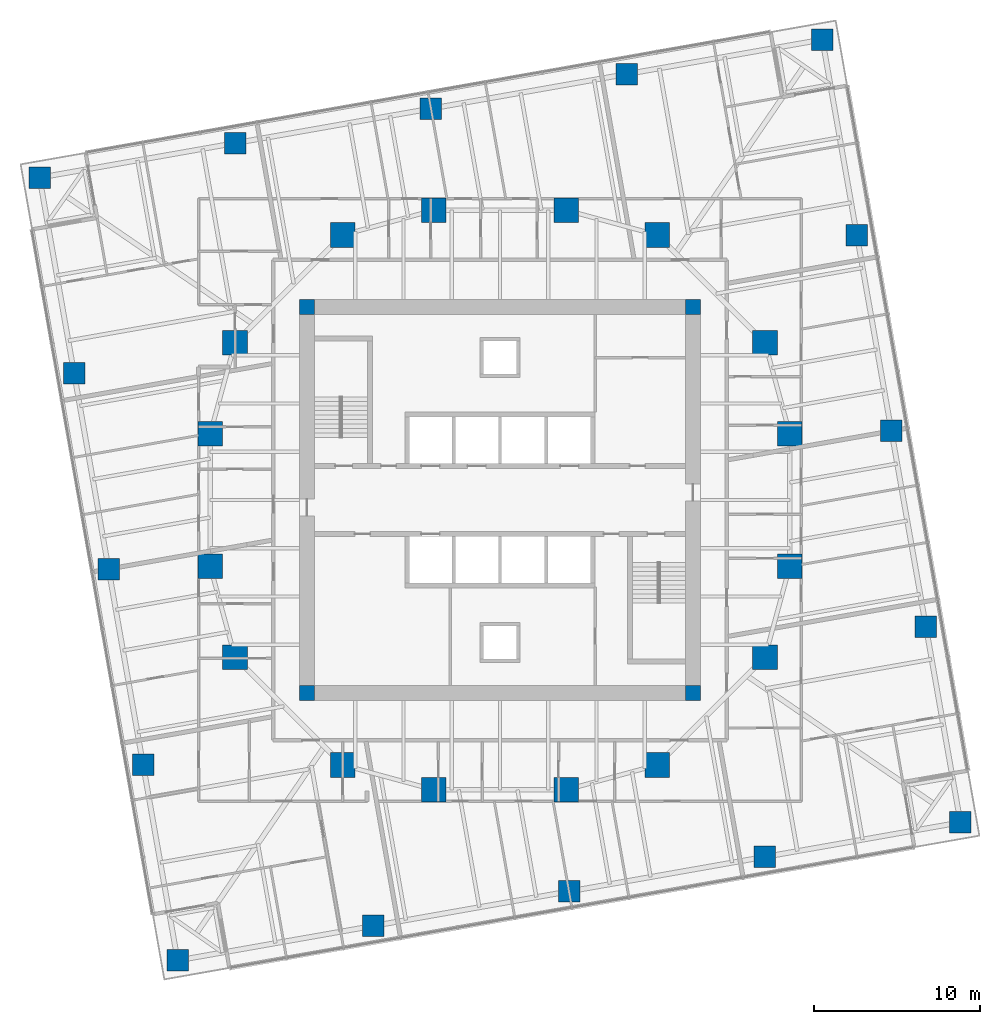
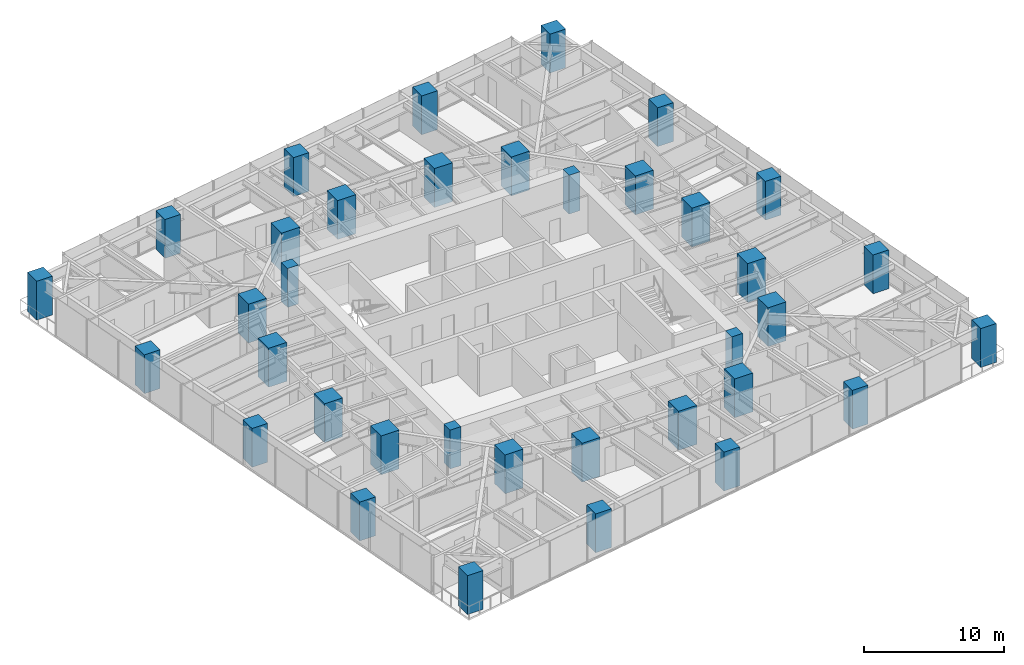
# One storey, part 1 of 14: 36 columns.
"""IFC4 building model written with IfcOpenShell, lengths in metres."""

from ifc_helpers import new_model, si_unit, direction, frame, origin, origin_2d, place, context, subcontext, project, spatial, rectangle, extrude, material, material_profile, profile_set, type_object, element, save


model = new_model("IFC4")

# Units and contexts
model_context = context("Model", 3, precision=1e-05, world=origin(), true_north=direction((0.0, 1.0)))
body_context = subcontext(model_context, "Body", "Model", "MODEL_VIEW")
ifc_project = project(units=[si_unit("LENGTHUNIT", "METRE"), si_unit("AREAUNIT", "SQUARE_METRE"), si_unit("VOLUMEUNIT", "CUBIC_METRE"), si_unit("PLANEANGLEUNIT", "RADIAN"), si_unit("MASSUNIT", "GRAM", prefix="KILO")], contexts=[model_context])

# Site, building, storey
site_placement = place(None, origin())
site = spatial("IfcSite", under=ifc_project, at=site_placement, CompositionType="ELEMENT")
building_placement = place(site_placement, origin())
building = spatial("IfcBuilding", under=site, at=building_placement, Name="Torsade Residences", CompositionType="ELEMENT")
storey_placement = place(building_placement, frame((0.0, 0.0, 99.800048828125)))
storey = spatial("IfcBuildingStorey", under=building, at=storey_placement, Name="L27", CompositionType="ELEMENT", Elevation=99.800048828125)

# Columns
ifc_material_1 = material(Name="Concrete 80 MPa", Category="concrete")
ifc_material_profile_1 = material_profile(ifc_material_1, rectangle(XDim=0.89990234375, YDim=0.89990234375, at=origin_2d()), Name="RC 900x900")
ifc_profile_set_1 = profile_set([ifc_material_profile_1], Name="Concrete 80 MPa")
column_type_1 = type_object("IfcColumnType", Name="CORE CORNER COLUMN RC 900x900", PredefinedType="COLUMN", material=ifc_profile_set_1)
for number, where, z_axis, x_axis, name in (
    (1, (28.35009765625, 18.35009765625, 0.0), (0.0, 0.0, 1.0), (1.0, 0.0, 0.0), "Core corner column CC1 L27"),
    (2, (51.64990234375, 18.35009765625, 0.0), (0.0, 0.0, 1.0), (1.0, 0.0, 0.0), "Core corner column CC2 L27"),
    (3, (51.64990234375, 41.64990234375, 0.0), (0.0, 0.0, 1.0), (1.0, 0.0, 0.0), "Core corner column CC3 L27"),
    (4, (28.35009765625, 41.64990234375, 0.0), (0.0, 0.0, 1.0), (1.0, 0.0, 0.0), "Core corner column CC4 L27"),
):
    element("IfcColumn", number, at=place(storey_placement, frame(where, z_axis=z_axis, x_axis=x_axis)), inside=storey, type_object=column_type_1, Name=name, PredefinedType="COLUMN", context=body_context, shape_type="SweptSolid", body=[
        extrude(rectangle(XDim=0.89990234375, YDim=0.89990234375, at=origin_2d()), origin(), (0.0, 0.0, 1.0), 3.39990234375),
    ])
ifc_material_2 = material(Name="Concrete 80 MPa", Category="concrete")
ifc_material_profile_2 = material_profile(ifc_material_2, rectangle(XDim=1.5, YDim=1.5, at=origin_2d()), Name="RC 1500x1500")
ifc_profile_set_2 = profile_set([ifc_material_profile_2], Name="Concrete 80 MPa")
column_type_2 = type_object("IfcColumnType", Name="INNER RING COLUMN RC 1500x1500", PredefinedType="COLUMN", material=ifc_profile_set_2)
for number, where, z_axis, x_axis, name in (
    (5, (57.5, 26.0, 0.0), (0.0, 0.0, 1.0), (1.0, 0.0, 0.0), "Inner ring column IR01 L27"),
    (6, (57.5, 34.0, 0.0), (0.0, 0.0, 1.0), (1.0, 0.0, 0.0), "Inner ring column IR02 L27"),
    (7, (56.0, 39.5, 0.0), (0.0, 0.0, 1.0), (1.0, 0.0, 0.0), "Inner ring column IR03 L27"),
    (8, (49.5, 46.0, 0.0), (0.0, 0.0, 1.0), (1.0, 0.0, 0.0), "Inner ring column IR04 L27"),
    (9, (44.0, 47.5, 0.0), (0.0, 0.0, 1.0), (1.0, 0.0, 0.0), "Inner ring column IR05 L27"),
    (10, (36.0, 47.5, 0.0), (0.0, 0.0, 1.0), (1.0, 0.0, 0.0), "Inner ring column IR06 L27"),
    (11, (30.5, 46.0, 0.0), (0.0, 0.0, 1.0), (1.0, 0.0, 0.0), "Inner ring column IR07 L27"),
    (12, (24.0, 39.5, 0.0), (0.0, 0.0, 1.0), (1.0, 0.0, 0.0), "Inner ring column IR08 L27"),
    (13, (22.5, 34.0, 0.0), (0.0, 0.0, 1.0), (1.0, 0.0, 0.0), "Inner ring column IR09 L27"),
    (14, (22.5, 26.0, 0.0), (0.0, 0.0, 1.0), (1.0, 0.0, 0.0), "Inner ring column IR10 L27"),
    (15, (24.0, 20.5, 0.0), (0.0, 0.0, 1.0), (1.0, 0.0, 0.0), "Inner ring column IR11 L27"),
    (16, (30.5, 14.0, 0.0), (0.0, 0.0, 1.0), (1.0, 0.0, 0.0), "Inner ring column IR12 L27"),
    (17, (36.0, 12.5, 0.0), (0.0, 0.0, 1.0), (1.0, 0.0, 0.0), "Inner ring column IR13 L27"),
    (18, (44.0, 12.5, 0.0), (0.0, 0.0, 1.0), (1.0, 0.0, 0.0), "Inner ring column IR14 L27"),
    (19, (49.5, 14.0, 0.0), (0.0, 0.0, 1.0), (1.0, 0.0, 0.0), "Inner ring column IR15 L27"),
    (20, (56.0, 20.5, 0.0), (0.0, 0.0, 1.0), (1.0, 0.0, 0.0), "Inner ring column IR16 L27"),
):
    element("IfcColumn", number, at=place(storey_placement, frame(where, z_axis=z_axis, x_axis=x_axis)), inside=storey, type_object=column_type_2, Name=name, PredefinedType="COLUMN", context=body_context, shape_type="SweptSolid", body=[
        extrude(rectangle(XDim=1.5, YDim=1.5, at=origin_2d()), origin(), (0.0, 0.0, 1.0), 3.39990234375),
    ])
ifc_material_3 = material(Name="Concrete 80 MPa", Category="concrete")
ifc_material_profile_3 = material_profile(ifc_material_3, rectangle(XDim=1.300048828125, YDim=1.300048828125, at=origin_2d()), Name="RC 1300x1300")
ifc_profile_set_3 = profile_set([ifc_material_profile_3], Name="Concrete 80 MPa")
column_type_3 = type_object("IfcColumnType", Name="TOWER COLUMN RC 1300x1300", PredefinedType="COLUMN", material=ifc_profile_set_3)
for number, where, z_axis, x_axis, name in (
    (21, (20.5322265625, 2.197021484375, 0.0), (0.0, 0.0, 1.0), (1.0, 0.0, 0.0), "Column TC3-01 L27"),
    (22, (32.349853515625, 4.28076171875, 0.0), (0.0, 0.0, 1.0), (1.0, 0.0, 0.0), "Column TC3-02 L27"),
    (23, (44.16748046875, 6.364501953125, 0.0), (0.0, 0.0, 1.0), (1.0, 0.0, 0.0), "Column TC3-03 L27"),
    (24, (55.9853515625, 8.448486328125, 0.0), (0.0, 0.0, 1.0), (1.0, 0.0, 0.0), "Column TC3-04 L27"),
    (25, (67.802978515625, 10.5322265625, 0.0), (0.0, 0.0, 1.0), (1.0, 0.0, 0.0), "Column TC3-05 L27"),
    (26, (65.71923828125, 22.349853515625, 0.0), (0.0, 0.0, 1.0), (1.0, 0.0, 0.0), "Column TC3-06 L27"),
    (27, (63.635498046875, 34.16748046875, 0.0), (0.0, 0.0, 1.0), (1.0, 0.0, 0.0), "Column TC3-07 L27"),
    (28, (61.551513671875, 45.9853515625, 0.0), (0.0, 0.0, 1.0), (1.0, 0.0, 0.0), "Column TC3-08 L27"),
    (29, (59.4677734375, 57.802978515625, 0.0), (0.0, 0.0, 1.0), (1.0, 0.0, 0.0), "Column TC3-09 L27"),
    (30, (47.650146484375, 55.71923828125, 0.0), (0.0, 0.0, 1.0), (1.0, 0.0, 0.0), "Column TC3-10 L27"),
    (31, (35.83251953125, 53.635498046875, 0.0), (0.0, 0.0, 1.0), (1.0, 0.0, 0.0), "Column TC3-11 L27"),
    (32, (24.0146484375, 51.551513671875, 0.0), (0.0, 0.0, 1.0), (1.0, 0.0, 0.0), "Column TC3-12 L27"),
    (33, (12.197021484375, 49.4677734375, 0.0), (0.0, 0.0, 1.0), (1.0, 0.0, 0.0), "Column TC3-13 L27"),
    (34, (14.28076171875, 37.650146484375, 0.0), (0.0, 0.0, 1.0), (1.0, 0.0, 0.0), "Column TC3-14 L27"),
    (35, (16.364501953125, 25.83251953125, 0.0), (0.0, 0.0, 1.0), (1.0, 0.0, 0.0), "Column TC3-15 L27"),
    (36, (18.448486328125, 14.0146484375, 0.0), (0.0, 0.0, 1.0), (1.0, 0.0, 0.0), "Column TC3-16 L27"),
):
    element("IfcColumn", number, at=place(storey_placement, frame(where, z_axis=z_axis, x_axis=x_axis)), inside=storey, type_object=column_type_3, Name=name, PredefinedType="COLUMN", context=body_context, shape_type="SweptSolid", body=[
        extrude(rectangle(XDim=1.300048828125, YDim=1.300048828125, at=origin_2d()), origin(), (0.0, 0.0, 1.0), 3.39990234375),
    ])

save(model, "model.ifc")
